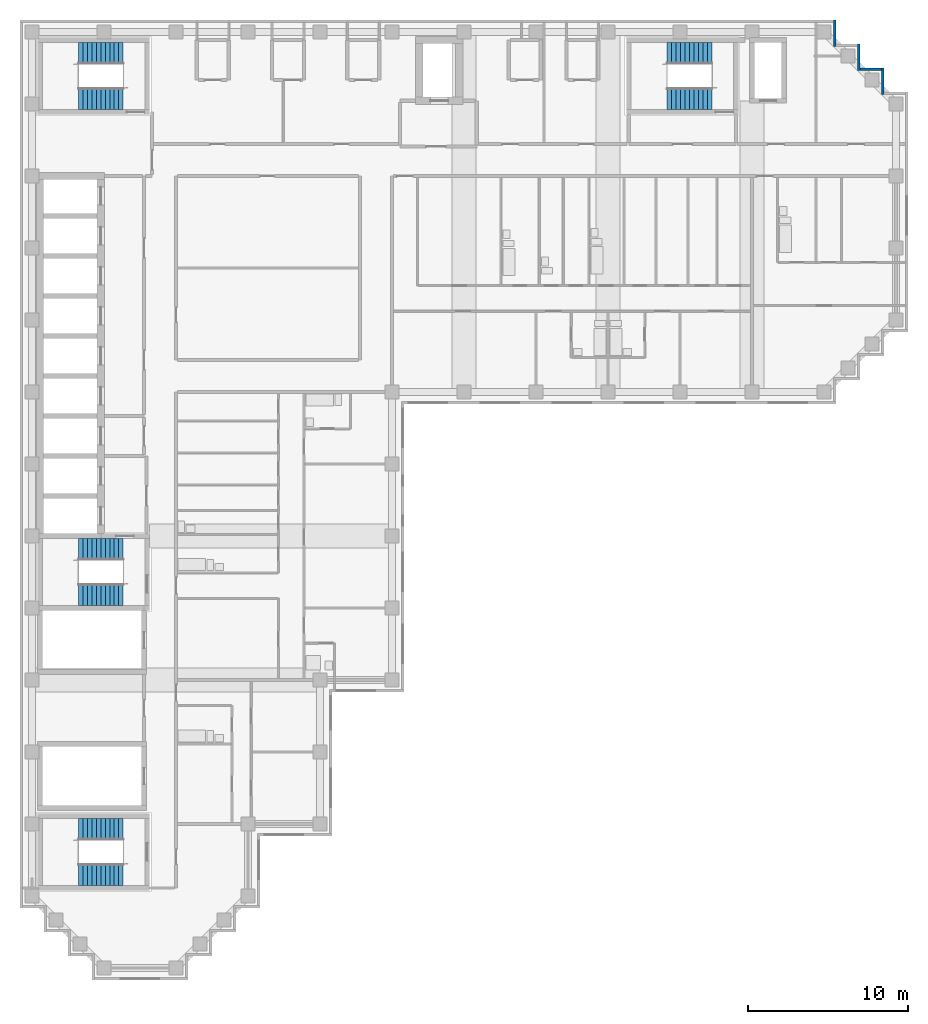
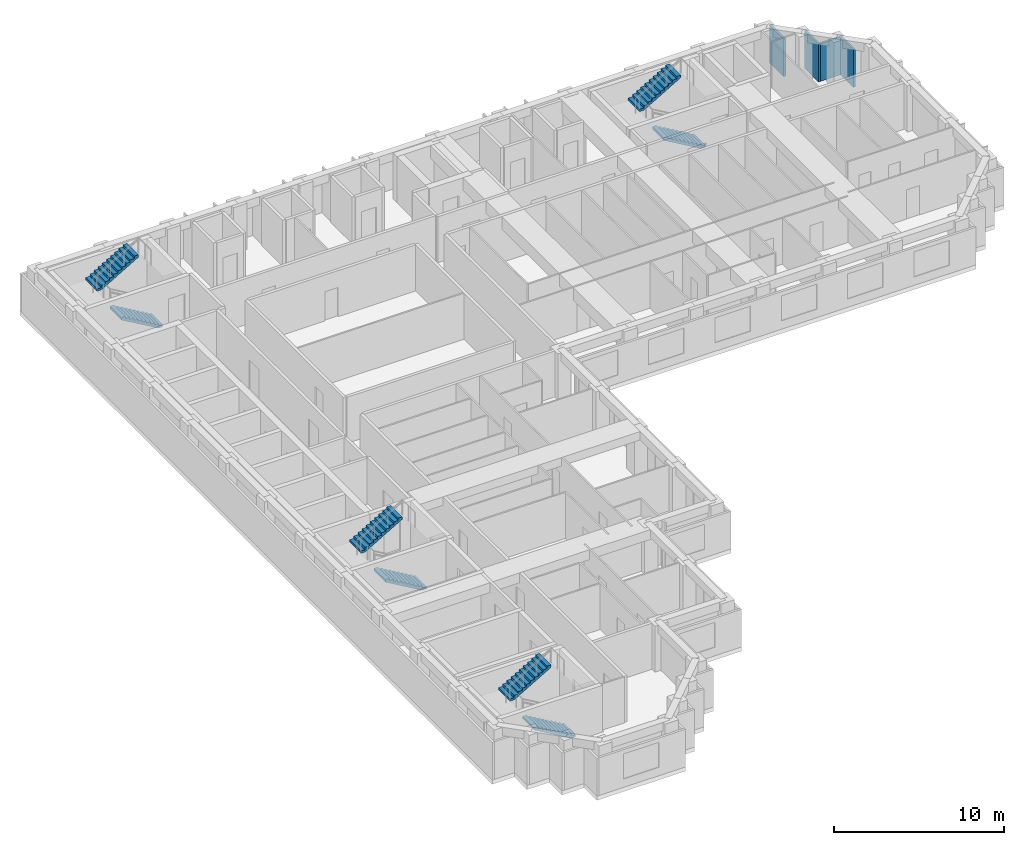
# One storey, part 8 of 10: 8 stair flights, 4 walls, 4 elements without a shape of their own.
"""IFC4 building model written with IfcOpenShell, lengths in metres."""

from ifc_helpers import new_model, si_unit, direction, frame, frame_2d, origin, place, context, subcontext, project, spatial, polyline, rectangle, outline, extrude, material, layer, layer_set, type_object, element, aggregate, save


model = new_model("IFC4")

# Units and contexts
model_context = context("Model", 3, precision=1e-05, world=origin(), true_north=direction((0.0, 1.0)))
body_context = subcontext(model_context, "Body", "Model", "MODEL_VIEW")
ifc_project = project(units=[si_unit("LENGTHUNIT", "METRE"), si_unit("AREAUNIT", "SQUARE_METRE"), si_unit("VOLUMEUNIT", "CUBIC_METRE"), si_unit("PLANEANGLEUNIT", "RADIAN"), si_unit("MASSUNIT", "GRAM", prefix="KILO")], contexts=[model_context])

# Site, building, storey
site_placement = place(None, origin())
site = spatial("IfcSite", under=ifc_project, at=site_placement, CompositionType="ELEMENT")
building_placement = place(site_placement, origin())
building = spatial("IfcBuilding", under=site, at=building_placement, Name="Firuza Court", CompositionType="ELEMENT")
storey_placement = place(building_placement, frame((0.0, 0.0, 200.60009765625)))
storey = spatial("IfcBuildingStorey", under=building, at=storey_placement, Name="L51", CompositionType="ELEMENT", Elevation=200.60009765625)

# Walls
ifc_material_1 = material(Name="Ceramic tile", Category="ceramic")
ifc_layer_1 = layer(ifc_material_1, 0.02001953125)
ifc_material_2 = material(Name="Mineral wool insulation", Category="insulation")
ifc_layer_2 = layer(ifc_material_2, 0.050048828125)
ifc_material_3 = material(Name="Concrete C40/50 precast", Category="concrete")
ifc_layer_3 = layer(ifc_material_3, 0.080078125)
ifc_layer_set = layer_set([ifc_layer_1, ifc_layer_2, ifc_layer_3], Name="Concrete C40/50 precast")
wall_type = type_object("IfcWallType", Name="Precast cladding wall with turquoise TILE PANEL face 150", PredefinedType="STANDARD", material=ifc_layer_set)
wall_1_placement = place(storey_placement, frame((53.175048828125, 54.60009765625, 0.0), z_axis=(0.0, 0.0, 1.0), x_axis=(0.0, 1.0, 0.0)))
element("IfcWall", 1, at=wall_1_placement, inside=storey, type_object=wall_type, Name="Facade wall L51 E", PredefinedType="STANDARD", context=body_context, shape_type="SweptSolid", body=[
    extrude(rectangle(XDim=1.64990234375, YDim=0.14990234375, at=frame_2d((0.824951171875, 0.0))), origin(), (0.0, 0.0, 1.0), 2.699951171875),
])
wall_2_placement = place(storey_placement, frame((53.10009765625, 56.175048828125, 0.0), z_axis=(0.0, 0.0, 1.0), x_axis=(-1.0, 0.0, 0.0)))
element("IfcWall", 2, at=wall_2_placement, inside=storey, type_object=wall_type, Name="Facade wall L51 N", PredefinedType="STANDARD", context=body_context, shape_type="SweptSolid", body=[
    extrude(rectangle(XDim=1.35009765625, YDim=0.14990234375, at=frame_2d((0.675048828125, 0.0))), origin(), (0.0, 0.0, 1.0), 2.699951171875),
])
for number, where, z_axis, x_axis, name in (
    (3, (51.675048828125, 56.10009765625, 0.0), (0.0, 0.0, 1.0), (0.0, 1.0, 0.0), "Facade wall L51 E"),
    (4, (50.175048828125, 57.60009765625, 0.0), (0.0, 0.0, 1.0), (0.0, 1.0, 0.0), "Facade wall L51 E"),
):
    element("IfcWall", number, at=place(storey_placement, frame(where, z_axis=z_axis, x_axis=x_axis)), inside=storey, type_object=wall_type, Name=name, PredefinedType="STANDARD", context=body_context, shape_type="SweptSolid", body=[
        extrude(rectangle(XDim=1.64990234375, YDim=0.14990234375, at=frame_2d((0.824951171875, 0.0))), origin(), (0.0, 0.0, 1.0), 2.699951171875),
    ])

# Stair, stair flights
ifc_material_4 = material(Name="Concrete C40/50 precast", Category="concrete")
stair_type = type_object("IfcStairType", Name="Stair 1350 x 3600 2 flights", PredefinedType="HALF_TURN_STAIR", material=ifc_material_4)
stair_1_placement = place(storey_placement, origin())
stair_1 = element("IfcStair", 5, at=stair_1_placement, inside=storey, type_object=stair_type, Name="Stair 1 L51", PredefinedType="HALF_TURN_STAIR")
ifc_material_5 = material(Name="Concrete C40/50 precast", Category="concrete")
stair_flight_type = type_object("IfcStairFlightType", Name="Flight 1350 riser 163.6", PredefinedType="STRAIGHT", material=ifc_material_5)
stair_flight_1_placement = place(storey_placement, frame((42.5, 54.324951171875, 0.0), z_axis=(0.0, 0.0, 1.0), x_axis=(-1.0, 0.0, 0.0)))
stair_flight_1 = element("IfcStairFlight", 6, at=stair_flight_1_placement, type_object=stair_flight_type, Name="S1 flight 1", NumberOfRisers=11, NumberOfTreads=10, PredefinedType="STRAIGHT", RiserHeight=0.163636364, TreadLength=0.28, context=body_context, shape_type="SweptSolid", body=[
    extrude(outline(polyline([(0.0, 0.0), (0.0, 0.16357421875), (0.280029296875, 0.16357421875), (0.280029296875, 0.327392578125), (0.56005859375, 0.327392578125), (0.56005859375, 0.490966796875), (0.840087890625, 0.490966796875), (0.840087890625, 0.654541015625), (1.1201171875, 0.654541015625), (1.1201171875, 0.818115234375), (1.39990234375, 0.818115234375), (1.39990234375, 0.98193359375), (1.679931640625, 0.98193359375), (1.679931640625, 1.1455078125), (1.9599609375, 1.1455078125), (1.9599609375, 1.30908203125), (2.239990234375, 1.30908203125), (2.239990234375, 1.47265625), (2.52001953125, 1.47265625), (2.52001953125, 1.636474609375), (2.800048828125, 1.636474609375), (2.800048828125, 1.800048828125), (2.800048828125, 1.462646484375), (0.297119140625, 0.0), (0.0, 0.0)])), frame((0.0, 0.675048828125, 0.0), z_axis=(0.0, -1.0, 0.0), x_axis=(1.0, 0.0, 0.0)), (0.0, 0.0, 1.0), 1.35009765625),
])
stair_flight_2_placement = place(storey_placement, frame((39.699951171875, 57.175048828125, 1.7998046875), z_axis=(0.0, 0.0, 1.0), x_axis=(1.0, 0.0, 0.0)))
stair_flight_2 = element("IfcStairFlight", 7, at=stair_flight_2_placement, type_object=stair_flight_type, Name="S1 flight 2", NumberOfRisers=11, NumberOfTreads=10, PredefinedType="STRAIGHT", RiserHeight=0.163636364, TreadLength=0.28, context=body_context, shape_type="SweptSolid", body=[
    extrude(outline(polyline([(0.0, 0.0), (0.0, 0.16357421875), (0.280029296875, 0.16357421875), (0.280029296875, 0.327392578125), (0.56005859375, 0.327392578125), (0.56005859375, 0.490966796875), (0.840087890625, 0.490966796875), (0.840087890625, 0.654541015625), (1.1201171875, 0.654541015625), (1.1201171875, 0.818115234375), (1.39990234375, 0.818115234375), (1.39990234375, 0.98193359375), (1.679931640625, 0.98193359375), (1.679931640625, 1.1455078125), (1.9599609375, 1.1455078125), (1.9599609375, 1.30908203125), (2.239990234375, 1.30908203125), (2.239990234375, 1.47265625), (2.52001953125, 1.47265625), (2.52001953125, 1.636474609375), (2.800048828125, 1.636474609375), (2.800048828125, 1.800048828125), (2.800048828125, 1.462646484375), (0.297119140625, 0.0), (0.0, 0.0)])), frame((0.0, 0.675048828125, 0.0), z_axis=(0.0, -1.0, 0.0), x_axis=(1.0, 0.0, 0.0)), (0.0, 0.0, 1.0), 1.35009765625),
])
aggregate(stair_1, [stair_flight_1, stair_flight_2])

stair_2_placement = place(storey_placement, origin())
stair_2 = element("IfcStair", 8, at=stair_2_placement, inside=storey, type_object=stair_type, Name="Stair 2 L51", PredefinedType="HALF_TURN_STAIR")
stair_flight_3_placement = place(storey_placement, frame((5.699951171875, 23.324951171875, 0.0), z_axis=(0.0, 0.0, 1.0), x_axis=(-1.0, 0.0, 0.0)))
stair_flight_3 = element("IfcStairFlight", 9, at=stair_flight_3_placement, type_object=stair_flight_type, Name="S2 flight 1", NumberOfRisers=11, NumberOfTreads=10, PredefinedType="STRAIGHT", RiserHeight=0.163636364, TreadLength=0.28, context=body_context, shape_type="SweptSolid", body=[
    extrude(outline(polyline([(0.0, 0.0), (0.0, 0.16357421875), (0.280029296875, 0.16357421875), (0.280029296875, 0.327392578125), (0.56005859375, 0.327392578125), (0.56005859375, 0.490966796875), (0.840087890625, 0.490966796875), (0.840087890625, 0.654541015625), (1.1201171875, 0.654541015625), (1.1201171875, 0.818115234375), (1.39990234375, 0.818115234375), (1.39990234375, 0.98193359375), (1.679931640625, 0.98193359375), (1.679931640625, 1.1455078125), (1.9599609375, 1.1455078125), (1.9599609375, 1.30908203125), (2.239990234375, 1.30908203125), (2.239990234375, 1.47265625), (2.52001953125, 1.47265625), (2.52001953125, 1.636474609375), (2.800048828125, 1.636474609375), (2.800048828125, 1.800048828125), (2.800048828125, 1.462646484375), (0.297119140625, 0.0), (0.0, 0.0)])), frame((0.0, 0.675048828125, 0.0), z_axis=(0.0, -1.0, 0.0), x_axis=(1.0, 0.0, 0.0)), (0.0, 0.0, 1.0), 1.35009765625),
])
stair_flight_4_placement = place(storey_placement, frame((2.89990234375, 26.175048828125, 1.7998046875), z_axis=(0.0, 0.0, 1.0), x_axis=(1.0, 0.0, 0.0)))
stair_flight_4 = element("IfcStairFlight", 10, at=stair_flight_4_placement, type_object=stair_flight_type, Name="S2 flight 2", NumberOfRisers=11, NumberOfTreads=10, PredefinedType="STRAIGHT", RiserHeight=0.163636364, TreadLength=0.28, context=body_context, shape_type="SweptSolid", body=[
    extrude(outline(polyline([(0.0, 0.0), (0.0, 0.16357421875), (0.280029296875, 0.16357421875), (0.280029296875, 0.327392578125), (0.56005859375, 0.327392578125), (0.56005859375, 0.490966796875), (0.840087890625, 0.490966796875), (0.840087890625, 0.654541015625), (1.1201171875, 0.654541015625), (1.1201171875, 0.818115234375), (1.39990234375, 0.818115234375), (1.39990234375, 0.98193359375), (1.679931640625, 0.98193359375), (1.679931640625, 1.1455078125), (1.9599609375, 1.1455078125), (1.9599609375, 1.30908203125), (2.239990234375, 1.30908203125), (2.239990234375, 1.47265625), (2.52001953125, 1.47265625), (2.52001953125, 1.636474609375), (2.800048828125, 1.636474609375), (2.800048828125, 1.800048828125), (2.800048828125, 1.462646484375), (0.297119140625, 0.0), (0.0, 0.0)])), frame((0.0, 0.675048828125, 0.0), z_axis=(0.0, -1.0, 0.0), x_axis=(1.0, 0.0, 0.0)), (0.0, 0.0, 1.0), 1.35009765625),
])
aggregate(stair_2, [stair_flight_3, stair_flight_4])

stair_3_placement = place(storey_placement, origin())
stair_3 = element("IfcStair", 11, at=stair_3_placement, inside=storey, type_object=stair_type, Name="Stair 3 L51", PredefinedType="HALF_TURN_STAIR")
stair_flight_5_placement = place(storey_placement, frame((5.699951171875, 54.324951171875, 0.0), z_axis=(0.0, 0.0, 1.0), x_axis=(-1.0, 0.0, 0.0)))
stair_flight_5 = element("IfcStairFlight", 12, at=stair_flight_5_placement, type_object=stair_flight_type, Name="S3 flight 1", NumberOfRisers=11, NumberOfTreads=10, PredefinedType="STRAIGHT", RiserHeight=0.163636364, TreadLength=0.28, context=body_context, shape_type="SweptSolid", body=[
    extrude(outline(polyline([(0.0, 0.0), (0.0, 0.16357421875), (0.280029296875, 0.16357421875), (0.280029296875, 0.327392578125), (0.56005859375, 0.327392578125), (0.56005859375, 0.490966796875), (0.840087890625, 0.490966796875), (0.840087890625, 0.654541015625), (1.1201171875, 0.654541015625), (1.1201171875, 0.818115234375), (1.39990234375, 0.818115234375), (1.39990234375, 0.98193359375), (1.679931640625, 0.98193359375), (1.679931640625, 1.1455078125), (1.9599609375, 1.1455078125), (1.9599609375, 1.30908203125), (2.239990234375, 1.30908203125), (2.239990234375, 1.47265625), (2.52001953125, 1.47265625), (2.52001953125, 1.636474609375), (2.800048828125, 1.636474609375), (2.800048828125, 1.800048828125), (2.800048828125, 1.462646484375), (0.297119140625, 0.0), (0.0, 0.0)])), frame((0.0, 0.675048828125, 0.0), z_axis=(0.0, -1.0, 0.0), x_axis=(1.0, 0.0, 0.0)), (0.0, 0.0, 1.0), 1.35009765625),
])
stair_flight_6_placement = place(storey_placement, frame((2.89990234375, 57.175048828125, 1.7998046875), z_axis=(0.0, 0.0, 1.0), x_axis=(1.0, 0.0, 0.0)))
stair_flight_6 = element("IfcStairFlight", 13, at=stair_flight_6_placement, type_object=stair_flight_type, Name="S3 flight 2", NumberOfRisers=11, NumberOfTreads=10, PredefinedType="STRAIGHT", RiserHeight=0.163636364, TreadLength=0.28, context=body_context, shape_type="SweptSolid", body=[
    extrude(outline(polyline([(0.0, 0.0), (0.0, 0.16357421875), (0.280029296875, 0.16357421875), (0.280029296875, 0.327392578125), (0.56005859375, 0.327392578125), (0.56005859375, 0.490966796875), (0.840087890625, 0.490966796875), (0.840087890625, 0.654541015625), (1.1201171875, 0.654541015625), (1.1201171875, 0.818115234375), (1.39990234375, 0.818115234375), (1.39990234375, 0.98193359375), (1.679931640625, 0.98193359375), (1.679931640625, 1.1455078125), (1.9599609375, 1.1455078125), (1.9599609375, 1.30908203125), (2.239990234375, 1.30908203125), (2.239990234375, 1.47265625), (2.52001953125, 1.47265625), (2.52001953125, 1.636474609375), (2.800048828125, 1.636474609375), (2.800048828125, 1.800048828125), (2.800048828125, 1.462646484375), (0.297119140625, 0.0), (0.0, 0.0)])), frame((0.0, 0.675048828125, 0.0), z_axis=(0.0, -1.0, 0.0), x_axis=(1.0, 0.0, 0.0)), (0.0, 0.0, 1.0), 1.35009765625),
])
aggregate(stair_3, [stair_flight_5, stair_flight_6])

stair_4_placement = place(storey_placement, origin())
stair_4 = element("IfcStair", 14, at=stair_4_placement, inside=storey, type_object=stair_type, Name="Stair 5 L51", PredefinedType="HALF_TURN_STAIR")
stair_flight_7_placement = place(storey_placement, frame((5.699951171875, 5.824951171875, 0.0), z_axis=(0.0, 0.0, 1.0), x_axis=(-1.0, 0.0, 0.0)))
stair_flight_7 = element("IfcStairFlight", 15, at=stair_flight_7_placement, type_object=stair_flight_type, Name="S5 flight 1", NumberOfRisers=11, NumberOfTreads=10, PredefinedType="STRAIGHT", RiserHeight=0.163636364, TreadLength=0.28, context=body_context, shape_type="SweptSolid", body=[
    extrude(outline(polyline([(0.0, 0.0), (0.0, 0.16357421875), (0.280029296875, 0.16357421875), (0.280029296875, 0.327392578125), (0.56005859375, 0.327392578125), (0.56005859375, 0.490966796875), (0.840087890625, 0.490966796875), (0.840087890625, 0.654541015625), (1.1201171875, 0.654541015625), (1.1201171875, 0.818115234375), (1.39990234375, 0.818115234375), (1.39990234375, 0.98193359375), (1.679931640625, 0.98193359375), (1.679931640625, 1.1455078125), (1.9599609375, 1.1455078125), (1.9599609375, 1.30908203125), (2.239990234375, 1.30908203125), (2.239990234375, 1.47265625), (2.52001953125, 1.47265625), (2.52001953125, 1.636474609375), (2.800048828125, 1.636474609375), (2.800048828125, 1.800048828125), (2.800048828125, 1.462646484375), (0.297119140625, 0.0), (0.0, 0.0)])), frame((0.0, 0.675048828125, 0.0), z_axis=(0.0, -1.0, 0.0), x_axis=(1.0, 0.0, 0.0)), (0.0, 0.0, 1.0), 1.35009765625),
])
stair_flight_8_placement = place(storey_placement, frame((2.89990234375, 8.675048828125, 1.7998046875), z_axis=(0.0, 0.0, 1.0), x_axis=(1.0, 0.0, 0.0)))
stair_flight_8 = element("IfcStairFlight", 16, at=stair_flight_8_placement, type_object=stair_flight_type, Name="S5 flight 2", NumberOfRisers=11, NumberOfTreads=10, PredefinedType="STRAIGHT", RiserHeight=0.163636364, TreadLength=0.28, context=body_context, shape_type="SweptSolid", body=[
    extrude(outline(polyline([(0.0, 0.0), (0.0, 0.16357421875), (0.280029296875, 0.16357421875), (0.280029296875, 0.327392578125), (0.56005859375, 0.327392578125), (0.56005859375, 0.490966796875), (0.840087890625, 0.490966796875), (0.840087890625, 0.654541015625), (1.1201171875, 0.654541015625), (1.1201171875, 0.818115234375), (1.39990234375, 0.818115234375), (1.39990234375, 0.98193359375), (1.679931640625, 0.98193359375), (1.679931640625, 1.1455078125), (1.9599609375, 1.1455078125), (1.9599609375, 1.30908203125), (2.239990234375, 1.30908203125), (2.239990234375, 1.47265625), (2.52001953125, 1.47265625), (2.52001953125, 1.636474609375), (2.800048828125, 1.636474609375), (2.800048828125, 1.800048828125), (2.800048828125, 1.462646484375), (0.297119140625, 0.0), (0.0, 0.0)])), frame((0.0, 0.675048828125, 0.0), z_axis=(0.0, -1.0, 0.0), x_axis=(1.0, 0.0, 0.0)), (0.0, 0.0, 1.0), 1.35009765625),
])
aggregate(stair_4, [stair_flight_7, stair_flight_8])

save(model, "model.ifc")
